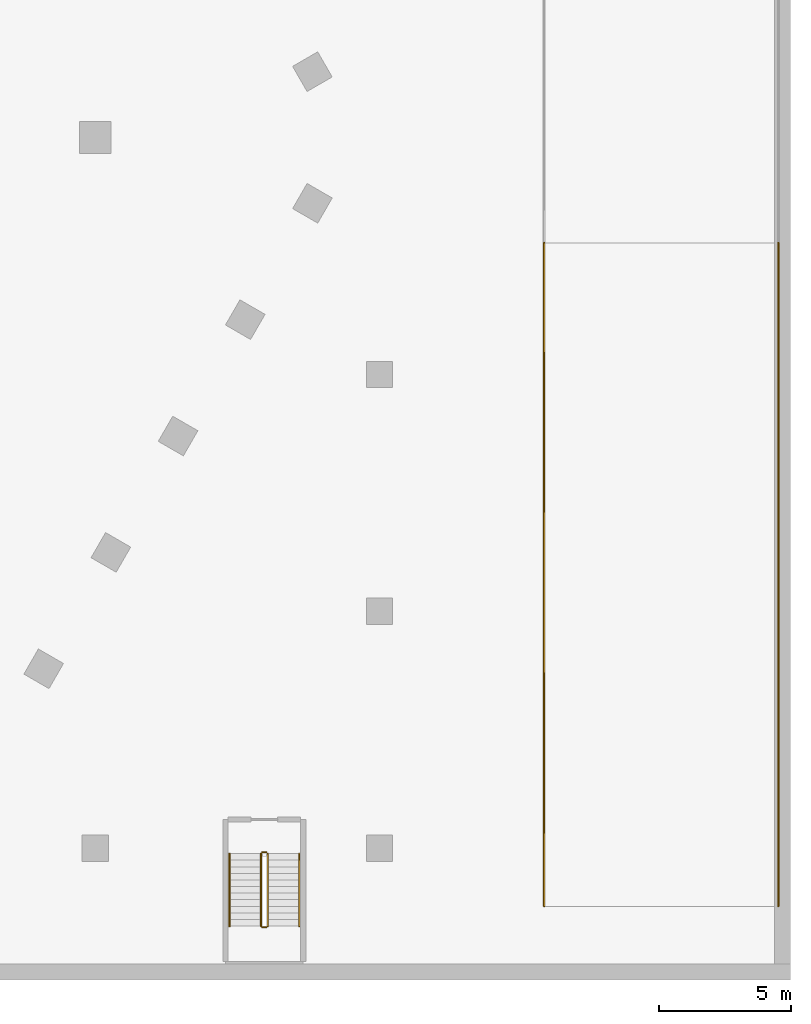
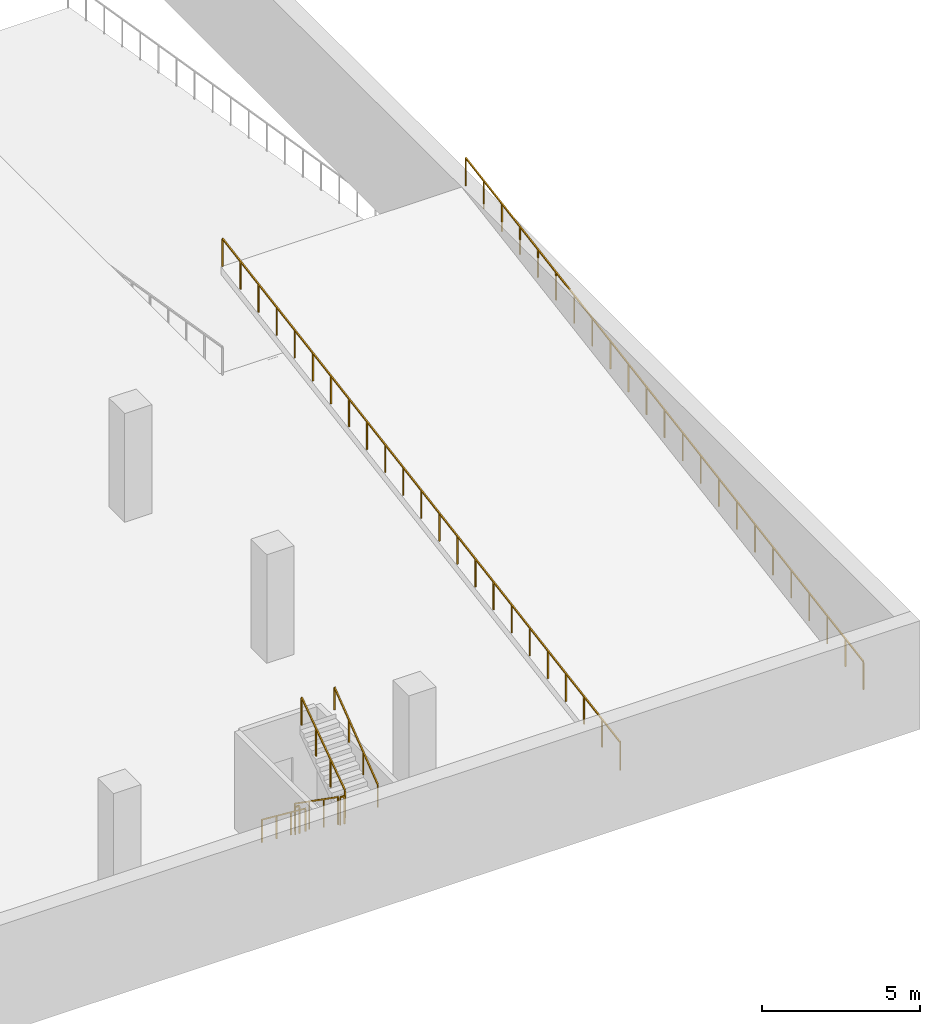
# One storey, part 16 of 20: 8 railings.
"""IFC4 building model written with IfcOpenShell, lengths in metres."""

from ifc_helpers import new_model, si_unit, direction, frame, origin, origin_2d, place, context, subcontext, project, spatial, rectangle, extrude, material, type_object, element, save


model = new_model("IFC4")

# Units and contexts
model_context = context("Model", 3, precision=1e-05, world=origin(), true_north=direction((0.0, 1.0)))
body_context = subcontext(model_context, "Body", "Model", "MODEL_VIEW")
ifc_project = project(units=[si_unit("LENGTHUNIT", "METRE"), si_unit("AREAUNIT", "SQUARE_METRE"), si_unit("VOLUMEUNIT", "CUBIC_METRE"), si_unit("PLANEANGLEUNIT", "RADIAN"), si_unit("MASSUNIT", "GRAM", prefix="KILO")], contexts=[model_context])

# Site, building, storey
site_placement = place(None, origin())
site = spatial("IfcSite", under=ifc_project, at=site_placement, CompositionType="ELEMENT")
building_placement = place(site_placement, origin())
building = spatial("IfcBuilding", under=site, at=building_placement, Name="Beryl Residences", CompositionType="ELEMENT")
storey_placement = place(building_placement, frame((0.0, 0.0, -4.199951171875)))
storey = spatial("IfcBuildingStorey", under=building, at=storey_placement, Name="B1", CompositionType="ELEMENT", Elevation=-4.199951171875)

# Railings
ifc_material_1 = material(Name="Stainless steel balustrade with glass infill", Category="steel")
railing_type_1 = type_object("IfcRailingType", Name="EG1 edge guard 1100 mm", PredefinedType="GUARDRAIL", material=ifc_material_1)
railing_1_placement = place(storey_placement, frame((47.550048828125, -4.0, 4.199951171875)))
element("IfcRailing", 1, at=railing_1_placement, inside=storey, type_object=railing_type_1, Name="B1 ramp RA guard left", PredefinedType="GUARDRAIL", context=body_context, shape_type="SweptSolid", body=[
    extrude(rectangle(XDim=0.048095703125, YDim=0.048095703125, at=origin_2d()), frame((0.0, 0.0, 1.076171875), z_axis=(0.0, -0.98639418211, -0.164397437631), x_axis=(1.0, 0.0, 0.0)), (0.0, 0.0, 1.0), 25.547607421875),
    extrude(rectangle(XDim=0.0419921875, YDim=0.0419921875, at=origin_2d()), origin(), (0.0, 0.0, 1.0), 1.052001953125),
    extrude(rectangle(XDim=0.0419921875, YDim=0.0419921875, at=origin_2d()), frame((0.0, -1.1455078125, -0.19091796875)), (0.0, 0.0, 1.0), 1.052001953125),
    extrude(rectangle(XDim=0.0419921875, YDim=0.0419921875, at=origin_2d()), frame((0.0, -2.291015625, -0.3818359375)), (0.0, 0.0, 1.0), 1.052001953125),
    extrude(rectangle(XDim=0.0419921875, YDim=0.0419921875, at=origin_2d()), frame((0.0, -3.436279296875, -0.57275390625)), (0.0, 0.0, 1.0), 1.052001953125),
    extrude(rectangle(XDim=0.0419921875, YDim=0.0419921875, at=origin_2d()), frame((0.0, -4.581787109375, -0.763671875)), (0.0, 0.0, 1.0), 1.052001953125),
    extrude(rectangle(XDim=0.0419921875, YDim=0.0419921875, at=origin_2d()), frame((0.0, -5.727294921875, -0.95458984375)), (0.0, 0.0, 1.0), 1.052001953125),
    extrude(rectangle(XDim=0.0419921875, YDim=0.0419921875, at=origin_2d()), frame((0.0, -6.872802734375, -1.1455078125)), (0.0, 0.0, 1.0), 1.052001953125),
    extrude(rectangle(XDim=0.0419921875, YDim=0.0419921875, at=origin_2d()), frame((0.0, -8.01806640625, -1.33642578125)), (0.0, 0.0, 1.0), 1.052001953125),
    extrude(rectangle(XDim=0.0419921875, YDim=0.0419921875, at=origin_2d()), frame((0.0, -9.16357421875, -1.52734375)), (0.0, 0.0, 1.0), 1.052001953125),
    extrude(rectangle(XDim=0.0419921875, YDim=0.0419921875, at=origin_2d()), frame((0.0, -10.30908203125, -1.71826171875)), (0.0, 0.0, 1.0), 1.052001953125),
    extrude(rectangle(XDim=0.0419921875, YDim=0.0419921875, at=origin_2d()), frame((0.0, -11.45458984375, -1.9091796875)), (0.0, 0.0, 1.0), 1.052001953125),
    extrude(rectangle(XDim=0.0419921875, YDim=0.0419921875, at=origin_2d()), frame((0.0, -12.60009765625, -2.10009765625)), (0.0, 0.0, 1.0), 1.052001953125),
    extrude(rectangle(XDim=0.0419921875, YDim=0.0419921875, at=origin_2d()), frame((0.0, -13.745361328125, -2.290771484375)), (0.0, 0.0, 1.0), 1.052001953125),
    extrude(rectangle(XDim=0.0419921875, YDim=0.0419921875, at=origin_2d()), frame((0.0, -14.890869140625, -2.481689453125)), (0.0, 0.0, 1.0), 1.052001953125),
    extrude(rectangle(XDim=0.0419921875, YDim=0.0419921875, at=origin_2d()), frame((0.0, -16.036376953125, -2.672607421875)), (0.0, 0.0, 1.0), 1.052001953125),
    extrude(rectangle(XDim=0.0419921875, YDim=0.0419921875, at=origin_2d()), frame((0.0, -17.181884765625, -2.863525390625)), (0.0, 0.0, 1.0), 1.052001953125),
    extrude(rectangle(XDim=0.0419921875, YDim=0.0419921875, at=origin_2d()), frame((0.0, -18.3271484375, -3.054443359375)), (0.0, 0.0, 1.0), 1.052001953125),
    extrude(rectangle(XDim=0.0419921875, YDim=0.0419921875, at=origin_2d()), frame((0.0, -19.47265625, -3.245361328125)), (0.0, 0.0, 1.0), 1.052001953125),
    extrude(rectangle(XDim=0.0419921875, YDim=0.0419921875, at=origin_2d()), frame((0.0, -20.6181640625, -3.436279296875)), (0.0, 0.0, 1.0), 1.052001953125),
    extrude(rectangle(XDim=0.0419921875, YDim=0.0419921875, at=origin_2d()), frame((0.0, -21.763671875, -3.627197265625)), (0.0, 0.0, 1.0), 1.052001953125),
    extrude(rectangle(XDim=0.0419921875, YDim=0.0419921875, at=origin_2d()), frame((0.0, -22.908935546875, -3.818115234375)), (0.0, 0.0, 1.0), 1.052001953125),
    extrude(rectangle(XDim=0.0419921875, YDim=0.0419921875, at=origin_2d()), frame((0.0, -24.054443359375, -4.009033203125)), (0.0, 0.0, 1.0), 1.052001953125),
    extrude(rectangle(XDim=0.0419921875, YDim=0.0419921875, at=origin_2d()), frame((0.0, -25.199951171875, -4.199951171875)), (0.0, 0.0, 1.0), 1.052001953125),
])
railing_2_placement = place(storey_placement, frame((38.64990234375, -4.0, 4.199951171875)))
element("IfcRailing", 2, at=railing_2_placement, inside=storey, type_object=railing_type_1, Name="B1 ramp RA guard right", PredefinedType="GUARDRAIL", context=body_context, shape_type="SweptSolid", body=[
    extrude(rectangle(XDim=0.048095703125, YDim=0.048095703125, at=origin_2d()), frame((0.0, 0.0, 1.076171875), z_axis=(0.0, -0.98639418211, -0.164397437631), x_axis=(1.0, 0.0, 0.0)), (0.0, 0.0, 1.0), 25.547607421875),
    extrude(rectangle(XDim=0.0419921875, YDim=0.0419921875, at=origin_2d()), origin(), (0.0, 0.0, 1.0), 1.052001953125),
    extrude(rectangle(XDim=0.0419921875, YDim=0.0419921875, at=origin_2d()), frame((0.0, -1.1455078125, -0.19091796875)), (0.0, 0.0, 1.0), 1.052001953125),
    extrude(rectangle(XDim=0.0419921875, YDim=0.0419921875, at=origin_2d()), frame((0.0, -2.291015625, -0.3818359375)), (0.0, 0.0, 1.0), 1.052001953125),
    extrude(rectangle(XDim=0.0419921875, YDim=0.0419921875, at=origin_2d()), frame((0.0, -3.436279296875, -0.57275390625)), (0.0, 0.0, 1.0), 1.052001953125),
    extrude(rectangle(XDim=0.0419921875, YDim=0.0419921875, at=origin_2d()), frame((0.0, -4.581787109375, -0.763671875)), (0.0, 0.0, 1.0), 1.052001953125),
    extrude(rectangle(XDim=0.0419921875, YDim=0.0419921875, at=origin_2d()), frame((0.0, -5.727294921875, -0.95458984375)), (0.0, 0.0, 1.0), 1.052001953125),
    extrude(rectangle(XDim=0.0419921875, YDim=0.0419921875, at=origin_2d()), frame((0.0, -6.872802734375, -1.1455078125)), (0.0, 0.0, 1.0), 1.052001953125),
    extrude(rectangle(XDim=0.0419921875, YDim=0.0419921875, at=origin_2d()), frame((0.0, -8.01806640625, -1.33642578125)), (0.0, 0.0, 1.0), 1.052001953125),
    extrude(rectangle(XDim=0.0419921875, YDim=0.0419921875, at=origin_2d()), frame((0.0, -9.16357421875, -1.52734375)), (0.0, 0.0, 1.0), 1.052001953125),
    extrude(rectangle(XDim=0.0419921875, YDim=0.0419921875, at=origin_2d()), frame((0.0, -10.30908203125, -1.71826171875)), (0.0, 0.0, 1.0), 1.052001953125),
    extrude(rectangle(XDim=0.0419921875, YDim=0.0419921875, at=origin_2d()), frame((0.0, -11.45458984375, -1.9091796875)), (0.0, 0.0, 1.0), 1.052001953125),
    extrude(rectangle(XDim=0.0419921875, YDim=0.0419921875, at=origin_2d()), frame((0.0, -12.60009765625, -2.10009765625)), (0.0, 0.0, 1.0), 1.052001953125),
    extrude(rectangle(XDim=0.0419921875, YDim=0.0419921875, at=origin_2d()), frame((0.0, -13.745361328125, -2.290771484375)), (0.0, 0.0, 1.0), 1.052001953125),
    extrude(rectangle(XDim=0.0419921875, YDim=0.0419921875, at=origin_2d()), frame((0.0, -14.890869140625, -2.481689453125)), (0.0, 0.0, 1.0), 1.052001953125),
    extrude(rectangle(XDim=0.0419921875, YDim=0.0419921875, at=origin_2d()), frame((0.0, -16.036376953125, -2.672607421875)), (0.0, 0.0, 1.0), 1.052001953125),
    extrude(rectangle(XDim=0.0419921875, YDim=0.0419921875, at=origin_2d()), frame((0.0, -17.181884765625, -2.863525390625)), (0.0, 0.0, 1.0), 1.052001953125),
    extrude(rectangle(XDim=0.0419921875, YDim=0.0419921875, at=origin_2d()), frame((0.0, -18.3271484375, -3.054443359375)), (0.0, 0.0, 1.0), 1.052001953125),
    extrude(rectangle(XDim=0.0419921875, YDim=0.0419921875, at=origin_2d()), frame((0.0, -19.47265625, -3.245361328125)), (0.0, 0.0, 1.0), 1.052001953125),
    extrude(rectangle(XDim=0.0419921875, YDim=0.0419921875, at=origin_2d()), frame((0.0, -20.6181640625, -3.436279296875)), (0.0, 0.0, 1.0), 1.052001953125),
    extrude(rectangle(XDim=0.0419921875, YDim=0.0419921875, at=origin_2d()), frame((0.0, -21.763671875, -3.627197265625)), (0.0, 0.0, 1.0), 1.052001953125),
    extrude(rectangle(XDim=0.0419921875, YDim=0.0419921875, at=origin_2d()), frame((0.0, -22.908935546875, -3.818115234375)), (0.0, 0.0, 1.0), 1.052001953125),
    extrude(rectangle(XDim=0.0419921875, YDim=0.0419921875, at=origin_2d()), frame((0.0, -24.054443359375, -4.009033203125)), (0.0, 0.0, 1.0), 1.052001953125),
    extrude(rectangle(XDim=0.0419921875, YDim=0.0419921875, at=origin_2d()), frame((0.0, -25.199951171875, -4.199951171875)), (0.0, 0.0, 1.0), 1.052001953125),
])
ifc_material_2 = material(Name="Stainless steel balustrade with glass infill", Category="steel")
railing_type_2 = type_object("IfcRailingType", Name="SG1 stair guard 1100 mm", PredefinedType="GUARDRAIL", material=ifc_material_2)
railing_3_placement = place(storey_placement, frame((27.89990234375, -27.199951171875, 0.175048828125)))
element("IfcRailing", 3, at=railing_3_placement, inside=storey, type_object=railing_type_2, Name="B1 BS-6 stair guard 1", PredefinedType="GUARDRAIL", context=body_context, shape_type="SweptSolid", body=[
    extrude(rectangle(XDim=0.048095703125, YDim=0.048095703125, at=origin_2d()), frame((0.0, 0.0, 1.076171875), z_axis=(0.0, -0.819259255306, 0.573423292687), x_axis=(1.0, 0.0, 0.0)), (0.0, 0.0, 1.0), 3.356689453125),
    extrude(rectangle(XDim=0.0419921875, YDim=0.0419921875, at=origin_2d()), origin(), (0.0, 0.0, 1.0), 1.052001953125),
    extrude(rectangle(XDim=0.0419921875, YDim=0.0419921875, at=origin_2d()), frame((0.0, -0.916748046875, 0.6416015625)), (0.0, 0.0, 1.0), 1.052001953125),
    extrude(rectangle(XDim=0.0419921875, YDim=0.0419921875, at=origin_2d()), frame((0.0, -1.833251953125, 1.283203125)), (0.0, 0.0, 1.0), 1.052001953125),
    extrude(rectangle(XDim=0.0419921875, YDim=0.0419921875, at=origin_2d()), frame((0.0, -2.75, 1.9248046875)), (0.0, 0.0, 1.0), 1.052001953125),
])
railing_4_placement = place(storey_placement, frame((27.949951171875, -30.0, 2.099853515625)))
element("IfcRailing", 4, at=railing_4_placement, inside=storey, type_object=railing_type_2, Name="B1 BS-6 stair guard 2", PredefinedType="GUARDRAIL", context=body_context, shape_type="SweptSolid", body=[
    extrude(rectangle(XDim=0.048095703125, YDim=0.048095703125, at=origin_2d()), frame((0.0, 0.0, 1.076171875), z_axis=(1.0, 0.0, 0.0), x_axis=(0.0, 1.0, 0.0)), (0.0, 0.0, 1.0), 0.150146484375),
    extrude(rectangle(XDim=0.0419921875, YDim=0.0419921875, at=origin_2d()), origin(), (0.0, 0.0, 1.0), 1.052001953125),
    extrude(rectangle(XDim=0.0419921875, YDim=0.0419921875, at=origin_2d()), frame((0.150146484375, 0.0, 0.0)), (0.0, 0.0, 1.0), 1.052001953125),
])
railing_5_placement = place(storey_placement, frame((28.14990234375, -29.949951171875, 2.27490234375)))
element("IfcRailing", 5, at=railing_5_placement, inside=storey, type_object=railing_type_2, Name="B1 BS-6 stair guard 3", PredefinedType="GUARDRAIL", context=body_context, shape_type="SweptSolid", body=[
    extrude(rectangle(XDim=0.048095703125, YDim=0.048095703125, at=origin_2d()), frame((0.0, 0.0, 1.076171875), z_axis=(0.0, 0.819225086817, 0.573472106672), x_axis=(-1.0, 0.0, 0.0)), (0.0, 0.0, 1.0), 3.35693359375),
    extrude(rectangle(XDim=0.0419921875, YDim=0.0419921875, at=origin_2d()), origin(), (0.0, 0.0, 1.0), 1.052001953125),
    extrude(rectangle(XDim=0.0419921875, YDim=0.0419921875, at=origin_2d()), frame((0.0, 0.916748046875, 0.6416015625)), (0.0, 0.0, 1.0), 1.052001953125),
    extrude(rectangle(XDim=0.0419921875, YDim=0.0419921875, at=origin_2d()), frame((0.0, 1.833251953125, 1.283447265625)), (0.0, 0.0, 1.0), 1.052001953125),
    extrude(rectangle(XDim=0.0419921875, YDim=0.0419921875, at=origin_2d()), frame((0.0, 2.75, 1.925048828125)), (0.0, 0.0, 1.0), 1.052001953125),
])
railing_6_placement = place(storey_placement, frame((27.949951171875, -27.14990234375, 0.0)))
element("IfcRailing", 6, at=railing_6_placement, inside=storey, type_object=railing_type_2, Name="B1 BS-6 stair guard 4", PredefinedType="GUARDRAIL", context=body_context, shape_type="SweptSolid", body=[
    extrude(rectangle(XDim=0.048095703125, YDim=0.048095703125, at=origin_2d()), frame((0.0, 0.0, 1.076171875), z_axis=(1.0, 0.0, 0.0), x_axis=(0.0, 1.0, 0.0)), (0.0, 0.0, 1.0), 0.150146484375),
    extrude(rectangle(XDim=0.0419921875, YDim=0.0419921875, at=origin_2d()), origin(), (0.0, 0.0, 1.0), 1.052001953125),
    extrude(rectangle(XDim=0.0419921875, YDim=0.0419921875, at=origin_2d()), frame((0.150146484375, 0.0, 0.0)), (0.0, 0.0, 1.0), 1.052001953125),
])
ifc_material_3 = material(Name="Stainless steel handrail", Category="steel")
railing_type_3 = type_object("IfcRailingType", Name="SRL1 stair handrail 900 mm", PredefinedType="HANDRAIL", material=ifc_material_3)
railing_7_placement = place(storey_placement, frame((26.699951171875, -27.199951171875, 0.175048828125)))
element("IfcRailing", 7, at=railing_7_placement, inside=storey, type_object=railing_type_3, Name="B1 BS-6 stair handrail 1", PredefinedType="HANDRAIL", context=body_context, shape_type="SweptSolid", body=[
    extrude(rectangle(XDim=0.048095703125, YDim=0.048095703125, at=origin_2d()), frame((0.0, 0.0, 0.8759765625), z_axis=(0.0, -0.794788234485, 0.606886861222), x_axis=(1.0, 0.0, 0.0)), (0.0, 0.0, 1.0), 3.4599609375),
    extrude(rectangle(XDim=0.0419921875, YDim=0.0419921875, at=origin_2d()), origin(), (0.0, 0.0, 1.0), 0.851806640625),
    extrude(rectangle(XDim=0.0419921875, YDim=0.0419921875, at=origin_2d()), frame((0.0, -0.916748046875, 0.699951171875)), (0.0, 0.0, 1.0), 0.851806640625),
    extrude(rectangle(XDim=0.0419921875, YDim=0.0419921875, at=origin_2d()), frame((0.0, -1.833251953125, 1.39990234375)), (0.0, 0.0, 1.0), 0.851806640625),
    extrude(rectangle(XDim=0.0419921875, YDim=0.0419921875, at=origin_2d()), frame((0.0, -2.75, 2.099853515625)), (0.0, 0.0, 1.0), 0.851806640625),
])
railing_8_placement = place(storey_placement, frame((29.35009765625, -29.949951171875, 2.27490234375)))
element("IfcRailing", 8, at=railing_8_placement, inside=storey, type_object=railing_type_3, Name="B1 BS-6 stair handrail 2", PredefinedType="HANDRAIL", context=body_context, shape_type="SweptSolid", body=[
    extrude(rectangle(XDim=0.048095703125, YDim=0.048095703125, at=origin_2d()), frame((0.0, 0.0, 0.8759765625), z_axis=(0.0, 0.794754200304, 0.60693143031), x_axis=(-1.0, 0.0, 0.0)), (0.0, 0.0, 1.0), 3.460205078125),
    extrude(rectangle(XDim=0.0419921875, YDim=0.0419921875, at=origin_2d()), origin(), (0.0, 0.0, 1.0), 0.851806640625),
    extrude(rectangle(XDim=0.0419921875, YDim=0.0419921875, at=origin_2d()), frame((0.0, 0.916748046875, 0.699951171875)), (0.0, 0.0, 1.0), 0.851806640625),
    extrude(rectangle(XDim=0.0419921875, YDim=0.0419921875, at=origin_2d()), frame((0.0, 1.833251953125, 1.400146484375)), (0.0, 0.0, 1.0), 0.851806640625),
    extrude(rectangle(XDim=0.0419921875, YDim=0.0419921875, at=origin_2d()), frame((0.0, 2.75, 2.10009765625)), (0.0, 0.0, 1.0), 0.851806640625),
])

save(model, "model.ifc")
